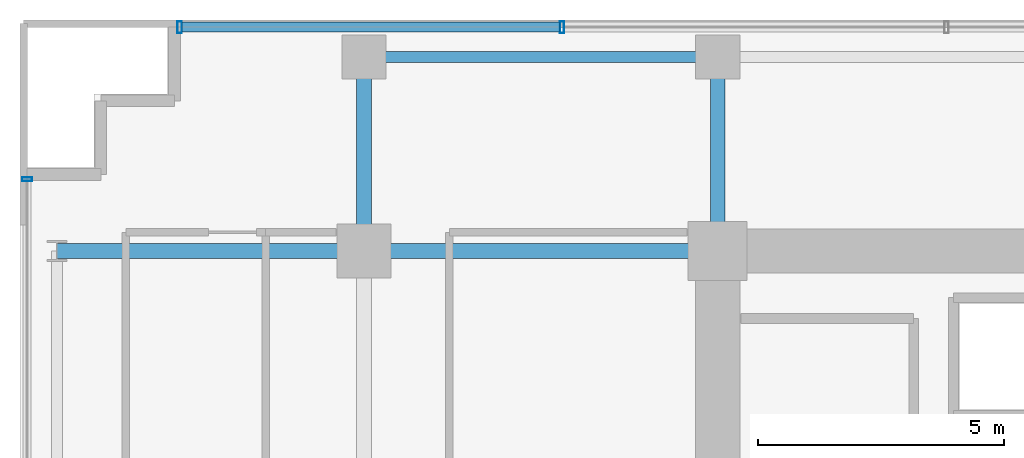
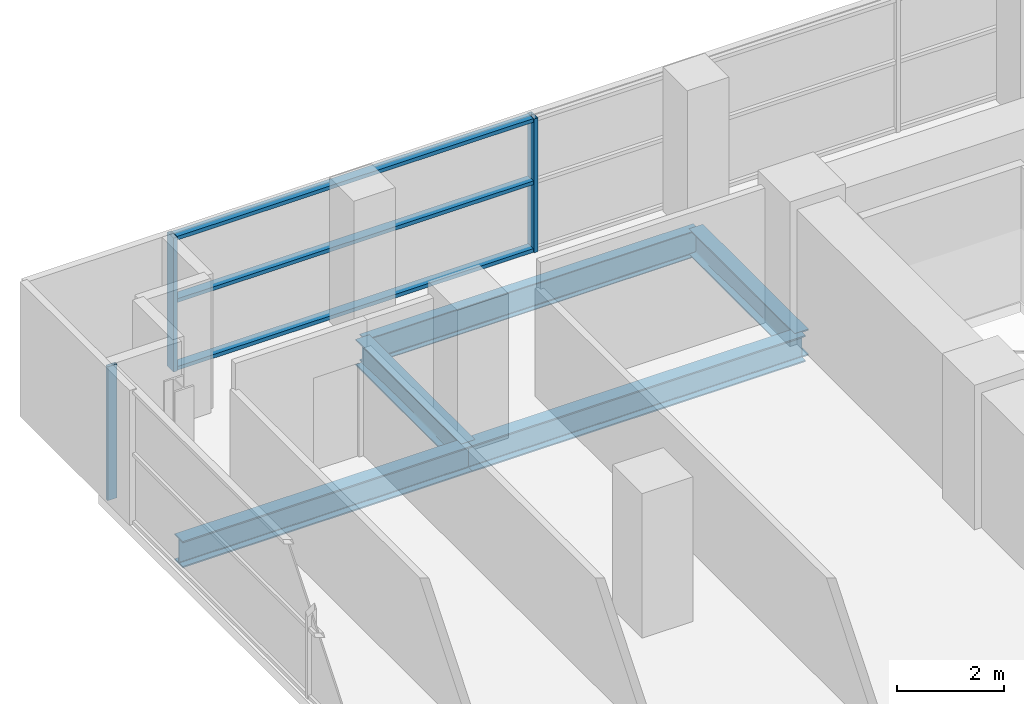
# One storey, part 13 of 26: 6 members, 5 beams, 2 elements without a shape of their own.
"""IFC4 building model written with IfcOpenShell, lengths in metres."""

from ifc_helpers import new_model, si_unit, direction, frame, origin, origin_2d, place, context, subcontext, project, spatial, hollow_rectangle, i_section, extrude, source, transform, mapped, material, layer, layer_set, material_profile, profile_set, type_object, element, aggregate, save


model = new_model("IFC4")

# Units and contexts
model_context = context("Model", 3, precision=1e-05, world=origin(), true_north=direction((0.0, 1.0)))
body_context = subcontext(model_context, "Body", "Model", "MODEL_VIEW")
ifc_project = project(units=[si_unit("LENGTHUNIT", "METRE"), si_unit("AREAUNIT", "SQUARE_METRE"), si_unit("VOLUMEUNIT", "CUBIC_METRE"), si_unit("PLANEANGLEUNIT", "RADIAN"), si_unit("MASSUNIT", "GRAM", prefix="KILO")], contexts=[model_context])

# Site, building, storey
site_placement = place(None, origin())
site = spatial("IfcSite", under=ifc_project, at=site_placement, CompositionType="ELEMENT")
building_placement = place(site_placement, origin())
building = spatial("IfcBuilding", under=site, at=building_placement, Name="Zarnakvel Exchange Tower", CompositionType="ELEMENT")
storey_placement = place(building_placement, frame((0.0, 0.0, 63.699951171875)))
storey = spatial("IfcBuildingStorey", under=building, at=storey_placement, Name="L17", CompositionType="ELEMENT", Elevation=63.699951171875)

# Beams
ifc_material_1 = material(Name="Steel S355", Category="steel")
ifc_material_profile_1 = material_profile(ifc_material_1, i_section(OverallWidth=0.300048828125, OverallDepth=0.60009765625, WebThickness=0.015380859375, FlangeThickness=0.030029296875, FilletRadius=0.027099609375, at=origin_2d()))
ifc_profile_set_1 = profile_set([ifc_material_profile_1], Name="Steel S355")
beam_type_1 = type_object("IfcBeamType", Name="G-04", PredefinedType="BEAM", material=ifc_profile_set_1)
beam_1_placement = place(storey_placement, frame((-27.85009765625, 13.5, -0.52490234375), z_axis=(1.0, 0.0, 0.0), x_axis=(0.0, 1.0, 0.0)))
element("IfcBeam", 1, at=beam_1_placement, inside=storey, type_object=beam_type_1, Name="L17 Tower E-W Frame Beam", PredefinedType="BEAM", context=body_context, shape_type="SweptSolid", body=[
    extrude(i_section(OverallWidth=0.300048828125, OverallDepth=0.60009765625, WebThickness=0.015380859375, FlangeThickness=0.030029296875, FilletRadius=0.027099609375, at=origin_2d()), origin(), (0.0, 0.0, 1.0), 6.25),
])
beam_2_placement = place(storey_placement, frame((-21.60009765625, 13.5, -0.52490234375), z_axis=(1.0, 0.0, 0.0), x_axis=(0.0, 1.0, 0.0)))
element("IfcBeam", 2, at=beam_2_placement, inside=storey, type_object=beam_type_1, Name="L17 Tower E-W Frame Beam", PredefinedType="BEAM", context=body_context, shape_type="SweptSolid", body=[
    extrude(i_section(OverallWidth=0.300048828125, OverallDepth=0.60009765625, WebThickness=0.015380859375, FlangeThickness=0.030029296875, FilletRadius=0.027099609375, at=origin_2d()), origin(), (0.0, 0.0, 1.0), 7.2001953125),
])
for number, where, z_axis, x_axis, name in (
    (3, (-21.60009765625, 13.5, -0.52490234375), (0.0, 1.0, 0.0), (-1.0, 0.0, 0.0), "L17 Tower N-S Frame Beam"),
    (4, (-14.39990234375, 13.5, -0.52490234375), (0.0, 1.0, 0.0), (-1.0, 0.0, 0.0), "L17 Tower N-S Frame Beam"),
):
    element("IfcBeam", number, at=place(storey_placement, frame(where, z_axis=z_axis, x_axis=x_axis)), inside=storey, type_object=beam_type_1, Name=name, PredefinedType="BEAM", context=body_context, shape_type="SweptSolid", body=[
        extrude(i_section(OverallWidth=0.300048828125, OverallDepth=0.60009765625, WebThickness=0.015380859375, FlangeThickness=0.030029296875, FilletRadius=0.027099609375, at=origin_2d()), origin(), (0.0, 0.0, 1.0), 3.949951171875),
    ])
ifc_material_profile_2 = material_profile(ifc_material_1, i_section(OverallWidth=0.219970703125, OverallDepth=0.60009765625, WebThickness=0.011962890625, FlangeThickness=0.01904296875, FilletRadius=0.02392578125, at=origin_2d()))
ifc_profile_set_2 = profile_set([ifc_material_profile_2], Name="Steel S355")
beam_type_2 = type_object("IfcBeamType", Name="SP-01", PredefinedType="SPANDREL", material=ifc_profile_set_2)
beam_3_placement = place(storey_placement, frame((-21.60009765625, 17.449951171875, -0.52490234375), z_axis=(1.0, 0.0, 0.0), x_axis=(0.0, 1.0, 0.0)))
element("IfcBeam", 5, at=beam_3_placement, inside=storey, type_object=beam_type_2, Name="L17 Tower E-W Frame Beam", PredefinedType="SPANDREL", context=body_context, shape_type="SweptSolid", body=[
    extrude(i_section(OverallWidth=0.219970703125, OverallDepth=0.60009765625, WebThickness=0.011962890625, FlangeThickness=0.01904296875, FilletRadius=0.02392578125, at=origin_2d()), origin(), (0.0, 0.0, 1.0), 7.2001953125),
])

# Curtain wall, members
ifc_material_2 = material(Name="Architectural Bronze Anodised Aluminium", Category="aluminium")
ifc_layer_1 = layer(ifc_material_2, 0.239990234375)
ifc_layer_set_1 = layer_set([ifc_layer_1], Name="Architectural Bronze Anodised Aluminium")
curtain_wall_type_1 = type_object("IfcCurtainWallType", Name="CW-02", PredefinedType="NOTDEFINED", material=ifc_layer_set_1)
curtain_wall_1_placement = place(storey_placement, origin())
curtain_wall_1 = element("IfcCurtainWall", 6, at=curtain_wall_1_placement, inside=storey, type_object=curtain_wall_type_1, Name="L17 Curtain Wall CW-L17-N1 (CW-02)", PredefinedType="NOTDEFINED")
ifc_material_profile_3 = material_profile(ifc_material_2, hollow_rectangle(XDim=0.199951171875, YDim=0.0849609375, WallThickness=0.0048828125, at=origin_2d()))
ifc_profile_set_3 = profile_set([ifc_material_profile_3], Name="Architectural Bronze Anodised Aluminium")
member_type_1 = type_object("IfcMemberType", Name="CWT-02", PredefinedType="USERDEFINED", material=ifc_profile_set_3)
shared_shape_1 = source(origin(), body_context, "Body", "SweptSolid", [
    extrude(hollow_rectangle(XDim=0.199951171875, YDim=0.0849609375, WallThickness=0.0048828125, at=origin_2d()), origin(), (0.0, 0.0, 1.0), 7.693603515625),
])
member_1_placement = place(storey_placement, frame((-25.31005859375, 18.06005859375, 0.04248046875), z_axis=(1.0, 0.0, 0.0), x_axis=(0.0, 1.0, 0.0)))
member_1 = element("IfcMember", 7, at=member_1_placement, type_object=member_type_1, Name="CW-02 transom 1.1", ObjectType="TRANSOM", PredefinedType="USERDEFINED", context=body_context, shape_type="MappedRepresentation", body=[
    mapped(shared_shape_1, transform((0.0, 0.0, 0.0), x_axis=(1.0, 0.0, 0.0), y_axis=(0.0, 1.0, 0.0), z_axis=(0.0, 0.0, 1.0), scale=1.0)),
])
member_2_placement = place(storey_placement, frame((-25.31005859375, 18.06005859375, 1.588623046875), z_axis=(1.0, 0.0, 0.0), x_axis=(0.0, 1.0, 0.0)))
member_2 = element("IfcMember", 8, at=member_2_placement, type_object=member_type_1, Name="CW-02 transom 1.2", ObjectType="TRANSOM", PredefinedType="USERDEFINED", context=body_context, shape_type="MappedRepresentation", body=[
    mapped(shared_shape_1, transform((0.0, 0.0, 0.0), x_axis=(1.0, 0.0, 0.0), y_axis=(0.0, 1.0, 0.0), z_axis=(0.0, 0.0, 1.0), scale=1.0)),
])
member_3_placement = place(storey_placement, frame((-25.31005859375, 18.06005859375, 3.012451171875), z_axis=(1.0, 0.0, 0.0), x_axis=(0.0, 1.0, 0.0)))
member_3 = element("IfcMember", 9, at=member_3_placement, type_object=member_type_1, Name="CW-02 transom 1.3", ObjectType="TRANSOM", PredefinedType="USERDEFINED", context=body_context, shape_type="MappedRepresentation", body=[
    mapped(shared_shape_1, transform((0.0, 0.0, 0.0), x_axis=(1.0, 0.0, 0.0), y_axis=(0.0, 1.0, 0.0), z_axis=(0.0, 0.0, 1.0), scale=1.0)),
])
ifc_material_profile_4 = material_profile(ifc_material_2, hollow_rectangle(XDim=0.239990234375, YDim=0.090087890625, WallThickness=0.006103515625, at=origin_2d()))
ifc_profile_set_4 = profile_set([ifc_material_profile_4], Name="Architectural Bronze Anodised Aluminium")
member_type_2 = type_object("IfcMemberType", Name="CWM-02", PredefinedType="MULLION", material=ifc_profile_set_4)
shared_shape_2 = source(origin(), body_context, "Body", "SweptSolid", [
    extrude(hollow_rectangle(XDim=0.239990234375, YDim=0.090087890625, WallThickness=0.006103515625, at=origin_2d()), origin(), (0.0, 0.0, 1.0), 3.054931640625),
])
member_4_placement = place(storey_placement, frame((-25.35498046875, 18.06005859375, 0.0), z_axis=(0.0, 0.0, 1.0), x_axis=(0.0, 1.0, 0.0)))
member_4 = element("IfcMember", 10, at=member_4_placement, type_object=member_type_2, Name="CW-02 mullion 1", PredefinedType="MULLION", context=body_context, shape_type="MappedRepresentation", body=[
    mapped(shared_shape_2, transform((0.0, 0.0, 0.0), x_axis=(1.0, 0.0, 0.0), y_axis=(0.0, 1.0, 0.0), z_axis=(0.0, 0.0, 1.0), scale=1.0)),
])
member_5_placement = place(storey_placement, frame((-17.571533203125, 18.06005859375, 0.0), z_axis=(0.0, 0.0, 1.0), x_axis=(0.0, 1.0, 0.0)))
member_5 = element("IfcMember", 11, at=member_5_placement, type_object=member_type_2, Name="CW-02 mullion 2", PredefinedType="MULLION", context=body_context, shape_type="MappedRepresentation", body=[
    mapped(shared_shape_2, transform((0.0, 0.0, 0.0), x_axis=(1.0, 0.0, 0.0), y_axis=(0.0, 1.0, 0.0), z_axis=(0.0, 0.0, 1.0), scale=1.0)),
])
aggregate(curtain_wall_1, [member_4, member_5, member_1, member_2, member_3])

# Curtain wall, member
ifc_layer_2 = layer(ifc_material_2, 0.199951171875)
ifc_layer_set_2 = layer_set([ifc_layer_2], Name="Architectural Bronze Anodised Aluminium")
curtain_wall_type_2 = type_object("IfcCurtainWallType", Name="CW-04", PredefinedType="NOTDEFINED", material=ifc_layer_set_2)
curtain_wall_2_placement = place(storey_placement, origin())
curtain_wall_2 = element("IfcCurtainWall", 12, at=curtain_wall_2_placement, inside=storey, type_object=curtain_wall_type_2, Name="L17 Curtain Wall CW-L17-W1 (CW-04)", PredefinedType="NOTDEFINED")
ifc_material_profile_5 = material_profile(ifc_material_2, hollow_rectangle(XDim=0.199951171875, YDim=0.074951171875, WallThickness=0.0048828125, at=origin_2d()))
ifc_profile_set_5 = profile_set([ifc_material_profile_5], Name="Architectural Bronze Anodised Aluminium")
member_type_3 = type_object("IfcMemberType", Name="CWM-04", PredefinedType="MULLION", material=ifc_profile_set_5)
shared_shape_3 = source(origin(), body_context, "Body", "SweptSolid", [
    extrude(hollow_rectangle(XDim=0.199951171875, YDim=0.074951171875, WallThickness=0.0048828125, at=origin_2d()), origin(), (0.0, 0.0, 1.0), 3.054931640625),
])
member_6_placement = place(storey_placement, frame((-28.4599609375, 14.96240234375, 0.0), z_axis=(0.0, 0.0, 1.0), x_axis=(-1.0, 0.0, 0.0)))
member_6 = element("IfcMember", 13, at=member_6_placement, type_object=member_type_3, Name="CW-04 mullion 5", PredefinedType="MULLION", context=body_context, shape_type="MappedRepresentation", body=[
    mapped(shared_shape_3, transform((0.0, 0.0, 0.0), x_axis=(1.0, 0.0, 0.0), y_axis=(0.0, 1.0, 0.0), z_axis=(0.0, 0.0, 1.0), scale=1.0)),
])
aggregate(curtain_wall_2, [member_6])

save(model, "model.ifc")
